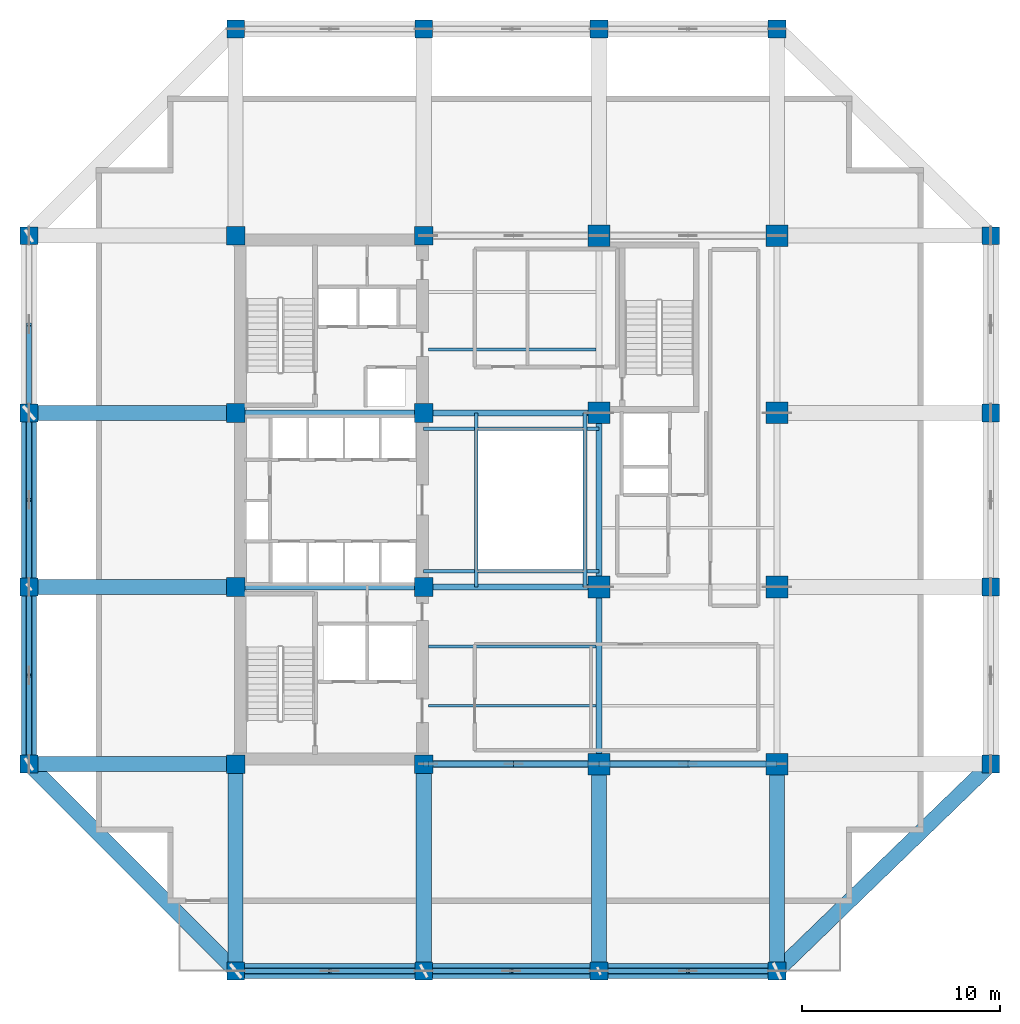
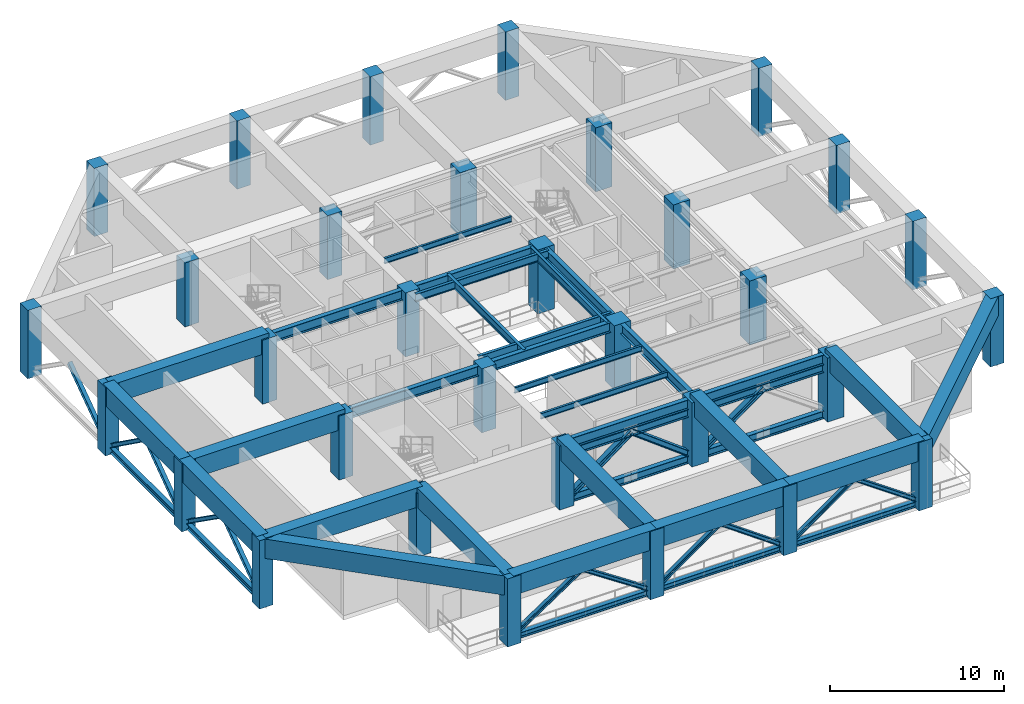
# One storey, part 1 of 10: 32 columns, 29 beams, 27 members.
"""IFC4 building model written with IfcOpenShell, lengths in metres."""

from ifc_helpers import new_model, si_unit, direction, frame, origin, origin_2d, place, context, subcontext, project, spatial, rectangle, i_section, extrude, material, material_profile, profile_set, type_object, element, save


model = new_model("IFC4")

# Units and contexts
model_context = context("Model", 3, precision=1e-05, world=origin(), true_north=direction((0.0, 1.0)))
body_context = subcontext(model_context, "Body", "Model", "MODEL_VIEW")
ifc_project = project(units=[si_unit("LENGTHUNIT", "METRE"), si_unit("AREAUNIT", "SQUARE_METRE"), si_unit("VOLUMEUNIT", "CUBIC_METRE"), si_unit("PLANEANGLEUNIT", "RADIAN"), si_unit("MASSUNIT", "GRAM", prefix="KILO")], contexts=[model_context])

# Site, building, storey
site_placement = place(None, origin())
site = spatial("IfcSite", under=ifc_project, at=site_placement, CompositionType="ELEMENT")
building_placement = place(site_placement, origin())
building = spatial("IfcBuilding", under=site, at=building_placement, Name="Kundavana Baori Tower", CompositionType="ELEMENT")
storey_placement = place(building_placement, frame((0.0, 0.0, 94.0)))
storey = spatial("IfcBuildingStorey", under=building, at=storey_placement, Name="L22", CompositionType="ELEMENT", Elevation=94.0)

# Columns
ifc_material_1 = material(Name="Concrete C60/75", Category="concrete")
ifc_material_profile_1 = material_profile(ifc_material_1, rectangle(XDim=0.89990234375, YDim=0.89990234375, at=origin_2d()), Name="RC PF 900x900")
ifc_profile_set_1 = profile_set([ifc_material_profile_1], Name="Concrete C60/75")
column_type_1 = type_object("IfcColumnType", Name="COL-PF-900", PredefinedType="COLUMN", material=ifc_profile_set_1)
for number, where, z_axis, x_axis, name in (
    (1, (15.449951171875, 4.800048828125, 0.0), (0.0, 0.0, 1.0), (1.0, 0.0, 0.0), "L22 Stone-Clad Perimeter Frame Column PF-S1"),
    (2, (15.449951171875, 52.39990234375, 0.0), (0.0, 0.0, 1.0), (1.0, 0.0, 0.0), "L22 Stone-Clad Perimeter Frame Column PF-N1"),
    (3, (24.949951171875, 4.800048828125, 0.0), (0.0, 0.0, 1.0), (1.0, 0.0, 0.0), "L22 Stone-Clad Perimeter Frame Column PF-S2"),
    (4, (24.949951171875, 52.39990234375, 0.0), (0.0, 0.0, 1.0), (1.0, 0.0, 0.0), "L22 Stone-Clad Perimeter Frame Column PF-N2"),
    (5, (33.800048828125, 4.800048828125, 0.0), (0.0, 0.0, 1.0), (1.0, 0.0, 0.0), "L22 Stone-Clad Perimeter Frame Column PF-S3"),
    (6, (33.800048828125, 52.39990234375, 0.0), (0.0, 0.0, 1.0), (1.0, 0.0, 0.0), "L22 Stone-Clad Perimeter Frame Column PF-N3"),
    (7, (42.800048828125, 4.800048828125, 0.0), (0.0, 0.0, 1.0), (1.0, 0.0, 0.0), "L22 Stone-Clad Perimeter Frame Column PF-S4"),
    (8, (42.800048828125, 52.39990234375, 0.0), (0.0, 0.0, 1.0), (1.0, 0.0, 0.0), "L22 Stone-Clad Perimeter Frame Column PF-N4"),
    (9, (5.0, 15.25, 0.0), (0.0, 0.0, 1.0), (1.0, 0.0, 0.0), "L22 Stone-Clad Perimeter Frame Column PF-W1"),
    (10, (53.60009765625, 15.25, 0.0), (0.0, 0.0, 1.0), (1.0, 0.0, 0.0), "L22 Stone-Clad Perimeter Frame Column PF-E1"),
    (11, (5.0, 24.199951171875, 0.0), (0.0, 0.0, 1.0), (1.0, 0.0, 0.0), "L22 Stone-Clad Perimeter Frame Column PF-W2"),
    (12, (53.60009765625, 24.199951171875, 0.0), (0.0, 0.0, 1.0), (1.0, 0.0, 0.0), "L22 Stone-Clad Perimeter Frame Column PF-E2"),
    (13, (5.0, 33.0, 0.0), (0.0, 0.0, 1.0), (1.0, 0.0, 0.0), "L22 Stone-Clad Perimeter Frame Column PF-W3"),
    (14, (53.60009765625, 33.0, 0.0), (0.0, 0.0, 1.0), (1.0, 0.0, 0.0), "L22 Stone-Clad Perimeter Frame Column PF-E3"),
    (15, (5.0, 41.949951171875, 0.0), (0.0, 0.0, 1.0), (1.0, 0.0, 0.0), "L22 Stone-Clad Perimeter Frame Column PF-W4"),
    (16, (53.60009765625, 41.949951171875, 0.0), (0.0, 0.0, 1.0), (1.0, 0.0, 0.0), "L22 Stone-Clad Perimeter Frame Column PF-E4"),
):
    element("IfcColumn", number, at=place(storey_placement, frame(where, z_axis=z_axis, x_axis=x_axis)), inside=storey, type_object=column_type_1, Name=name, PredefinedType="COLUMN", context=body_context, shape_type="SweptSolid", body=[
        extrude(rectangle(XDim=0.89990234375, YDim=0.89990234375, at=origin_2d()), origin(), (0.0, 0.0, 1.0), 4.800048828125),
    ])
ifc_material_2 = material(Name="Concrete C60/75", Category="concrete")
ifc_material_profile_2 = material_profile(ifc_material_2, rectangle(XDim=1.10009765625, YDim=1.10009765625, at=origin_2d()), Name="RC 1100x1100")
ifc_profile_set_2 = profile_set([ifc_material_profile_2], Name="Concrete C60/75")
column_type_2 = type_object("IfcColumnType", Name="COL-RC-1100", PredefinedType="COLUMN", material=ifc_profile_set_2)
for number, where, z_axis, x_axis, name in (
    (17, (33.800048828125, 15.25, 0.0), (0.0, 0.0, 1.0), (1.0, 0.0, 0.0), "L22 Interior Column IC-5C"),
    (18, (33.800048828125, 24.199951171875, 0.0), (0.0, 0.0, 1.0), (1.0, 0.0, 0.0), "L22 Interior Column IC-5D"),
    (19, (33.800048828125, 33.0, 0.0), (0.0, 0.0, 1.0), (1.0, 0.0, 0.0), "L22 Interior Column IC-5E"),
    (20, (33.800048828125, 41.949951171875, 0.0), (0.0, 0.0, 1.0), (1.0, 0.0, 0.0), "L22 Interior Column IC-5F"),
    (21, (42.800048828125, 15.25, 0.0), (0.0, 0.0, 1.0), (1.0, 0.0, 0.0), "L22 Interior Column IC-6C"),
    (22, (42.800048828125, 24.199951171875, 0.0), (0.0, 0.0, 1.0), (1.0, 0.0, 0.0), "L22 Interior Column IC-6D"),
    (23, (42.800048828125, 33.0, 0.0), (0.0, 0.0, 1.0), (1.0, 0.0, 0.0), "L22 Interior Column IC-6E"),
    (24, (42.800048828125, 41.949951171875, 0.0), (0.0, 0.0, 1.0), (1.0, 0.0, 0.0), "L22 Interior Column IC-6F"),
):
    element("IfcColumn", number, at=place(storey_placement, frame(where, z_axis=z_axis, x_axis=x_axis)), inside=storey, type_object=column_type_2, Name=name, PredefinedType="COLUMN", context=body_context, shape_type="SweptSolid", body=[
        extrude(rectangle(XDim=1.10009765625, YDim=1.10009765625, at=origin_2d()), origin(), (0.0, 0.0, 1.0), 4.5),
    ])
ifc_material_3 = material(Name="Concrete C50/60", Category="concrete")
ifc_material_profile_3 = material_profile(ifc_material_3, rectangle(XDim=0.949951171875, YDim=0.949951171875, at=origin_2d()), Name="RC 950x950")
ifc_profile_set_3 = profile_set([ifc_material_profile_3], Name="Concrete C50/60")
column_type_3 = type_object("IfcColumnType", Name="COL-RC-950", PredefinedType="COLUMN", material=ifc_profile_set_3)
for number, where, z_axis, x_axis, name in (
    (25, (15.449951171875, 15.25, 0.0), (0.0, 0.0, 1.0), (1.0, 0.0, 0.0), "L22 Interior Column IC-3C"),
    (26, (15.449951171875, 24.199951171875, 0.0), (0.0, 0.0, 1.0), (1.0, 0.0, 0.0), "L22 Interior Column IC-3D"),
    (27, (15.449951171875, 33.0, 0.0), (0.0, 0.0, 1.0), (1.0, 0.0, 0.0), "L22 Interior Column IC-3E"),
    (28, (15.449951171875, 41.949951171875, 0.0), (0.0, 0.0, 1.0), (1.0, 0.0, 0.0), "L22 Interior Column IC-3F"),
    (29, (24.949951171875, 15.25, 0.0), (0.0, 0.0, 1.0), (1.0, 0.0, 0.0), "L22 Interior Column IC-4C"),
    (30, (24.949951171875, 24.199951171875, 0.0), (0.0, 0.0, 1.0), (1.0, 0.0, 0.0), "L22 Interior Column IC-4D"),
    (31, (24.949951171875, 33.0, 0.0), (0.0, 0.0, 1.0), (1.0, 0.0, 0.0), "L22 Interior Column IC-4E"),
    (32, (24.949951171875, 41.949951171875, 0.0), (0.0, 0.0, 1.0), (1.0, 0.0, 0.0), "L22 Interior Column IC-4F"),
):
    element("IfcColumn", number, at=place(storey_placement, frame(where, z_axis=z_axis, x_axis=x_axis)), inside=storey, type_object=column_type_3, Name=name, PredefinedType="COLUMN", context=body_context, shape_type="SweptSolid", body=[
        extrude(rectangle(XDim=0.949951171875, YDim=0.949951171875, at=origin_2d()), origin(), (0.0, 0.0, 1.0), 4.5),
    ])

# Beams
ifc_material_4 = material(Name="Structural Steel S355JR", Category="steel")
ifc_material_profile_4 = material_profile(ifc_material_4, i_section(OverallWidth=0.139892578125, OverallDepth=0.39990234375, WebThickness=0.0087890625, FlangeThickness=0.01611328125, FilletRadius=0.013916015625, at=origin_2d()), Name="ISMB 400")
ifc_profile_set_4 = profile_set([ifc_material_profile_4], Name="Structural Steel S355JR")
beam_type_1 = type_object("IfcBeamType", Name="BM-JST-400", PredefinedType="JOIST", material=ifc_profile_set_4)
for number, where, z_axis, x_axis, name in (
    (33, (25.179931640625, 18.199951171875, 4.300048828125), (1.0, 0.0, 0.0), (0.0, 1.0, 0.0), "L22 Central Bay Composite Floor Joist C1"),
    (34, (25.179931640625, 21.199951171875, 4.300048828125), (1.0, 0.0, 0.0), (0.0, 1.0, 0.0), "L22 Central Bay Composite Floor Joist C2"),
    (35, (25.179931640625, 36.199951171875, 4.300048828125), (1.0, 0.0, 0.0), (0.0, 1.0, 0.0), "L22 Central Bay Composite Floor Joist C3"),
):
    element("IfcBeam", number, at=place(storey_placement, frame(where, z_axis=z_axis, x_axis=x_axis)), inside=storey, type_object=beam_type_1, Name=name, PredefinedType="JOIST", context=body_context, shape_type="SweptSolid", body=[
        extrude(i_section(OverallWidth=0.139892578125, OverallDepth=0.39990234375, WebThickness=0.0087890625, FlangeThickness=0.01611328125, FilletRadius=0.013916015625, at=origin_2d()), origin(), (0.0, 0.0, 1.0), 8.469970703125),
    ])
ifc_material_5 = material(Name="Structural Steel S355JR", Category="steel")
ifc_material_profile_5 = material_profile(ifc_material_5, i_section(OverallWidth=0.18994140625, OverallDepth=0.550048828125, WebThickness=0.01123046875, FlangeThickness=0.019287109375, FilletRadius=0.01806640625, at=origin_2d()), Name="ISMB 550")
ifc_profile_set_5 = profile_set([ifc_material_profile_5], Name="Structural Steel S355JR")
beam_type_2 = type_object("IfcBeamType", Name="BM-ST-550", PredefinedType="BEAM", material=ifc_profile_set_5)
for number, where, z_axis, x_axis, name in (
    (36, (27.60009765625, 24.199951171875, 4.22509765625), (0.0, 1.0, 0.0), (-1.0, 0.0, 0.0), "L22 Atrium West Edge Beam"),
    (37, (33.10009765625, 24.199951171875, 4.22509765625), (0.0, 1.0, 0.0), (-1.0, 0.0, 0.0), "L22 Atrium East Edge Beam"),
):
    element("IfcBeam", number, at=place(storey_placement, frame(where, z_axis=z_axis, x_axis=x_axis)), inside=storey, type_object=beam_type_2, Name=name, PredefinedType="BEAM", context=body_context, shape_type="SweptSolid", body=[
        extrude(i_section(OverallWidth=0.18994140625, OverallDepth=0.550048828125, WebThickness=0.01123046875, FlangeThickness=0.019287109375, FilletRadius=0.01806640625, at=origin_2d()), origin(), (0.0, 0.0, 1.0), 8.800048828125),
    ])
for number, where, z_axis, x_axis, name in (
    (38, (24.949951171875, 25.0, 4.22509765625), (1.0, 0.0, 0.0), (0.0, 1.0, 0.0), "L22 Atrium South Edge Beam"),
    (39, (24.949951171875, 32.199951171875, 4.22509765625), (1.0, 0.0, 0.0), (0.0, 1.0, 0.0), "L22 Atrium North Edge Beam"),
):
    element("IfcBeam", number, at=place(storey_placement, frame(where, z_axis=z_axis, x_axis=x_axis)), inside=storey, type_object=beam_type_2, Name=name, PredefinedType="BEAM", context=body_context, shape_type="SweptSolid", body=[
        extrude(i_section(OverallWidth=0.18994140625, OverallDepth=0.550048828125, WebThickness=0.01123046875, FlangeThickness=0.019287109375, FilletRadius=0.01806640625, at=origin_2d()), origin(), (0.0, 0.0, 1.0), 8.85009765625),
    ])
ifc_material_6 = material(Name="Structural Steel S355JR", Category="steel")
ifc_material_profile_6 = material_profile(ifc_material_6, i_section(OverallWidth=0.300048828125, OverallDepth=0.699951171875, WebThickness=0.014404296875, FlangeThickness=0.02392578125, FilletRadius=0.02392578125, at=origin_2d()), Name="NPB 700x300x170")
ifc_profile_set_6 = profile_set([ifc_material_profile_6], Name="Structural Steel S355JR")
beam_type_3 = type_object("IfcBeamType", Name="BM-ST-700", PredefinedType="BEAM", material=ifc_profile_set_6)
beam_1_placement = place(storey_placement, frame((24.949951171875, 15.25, 4.14990234375), z_axis=(1.0, 0.0, 0.0), x_axis=(0.0, 1.0, 0.0)))
element("IfcBeam", 40, at=beam_1_placement, inside=storey, type_object=beam_type_3, Name="L22 Primary Grid Girder GX-1-2", PredefinedType="BEAM", context=body_context, shape_type="SweptSolid", body=[
    extrude(i_section(OverallWidth=0.300048828125, OverallDepth=0.699951171875, WebThickness=0.014404296875, FlangeThickness=0.02392578125, FilletRadius=0.02392578125, at=origin_2d()), origin(), (0.0, 0.0, 1.0), 8.85009765625),
])
beam_2_placement = place(storey_placement, frame((33.800048828125, 15.25, 4.14990234375), z_axis=(1.0, 0.0, 0.0), x_axis=(0.0, 1.0, 0.0)))
element("IfcBeam", 41, at=beam_2_placement, inside=storey, type_object=beam_type_3, Name="L22 Primary Grid Girder GX-1-3", PredefinedType="BEAM", context=body_context, shape_type="SweptSolid", body=[
    extrude(i_section(OverallWidth=0.300048828125, OverallDepth=0.699951171875, WebThickness=0.014404296875, FlangeThickness=0.02392578125, FilletRadius=0.02392578125, at=origin_2d()), origin(), (0.0, 0.0, 1.0), 9.0),
])
beam_3_placement = place(storey_placement, frame((15.449951171875, 24.199951171875, 4.14990234375), z_axis=(1.0, 0.0, 0.0), x_axis=(0.0, 1.0, 0.0)))
element("IfcBeam", 42, at=beam_3_placement, inside=storey, type_object=beam_type_3, Name="L22 Primary Grid Girder GX-2-1", PredefinedType="BEAM", context=body_context, shape_type="SweptSolid", body=[
    extrude(i_section(OverallWidth=0.300048828125, OverallDepth=0.699951171875, WebThickness=0.014404296875, FlangeThickness=0.02392578125, FilletRadius=0.02392578125, at=origin_2d()), origin(), (0.0, 0.0, 1.0), 9.5),
])
beam_4_placement = place(storey_placement, frame((24.949951171875, 24.199951171875, 4.14990234375), z_axis=(1.0, 0.0, 0.0), x_axis=(0.0, 1.0, 0.0)))
element("IfcBeam", 43, at=beam_4_placement, inside=storey, type_object=beam_type_3, Name="L22 Primary Grid Girder GX-2-2", PredefinedType="BEAM", context=body_context, shape_type="SweptSolid", body=[
    extrude(i_section(OverallWidth=0.300048828125, OverallDepth=0.699951171875, WebThickness=0.014404296875, FlangeThickness=0.02392578125, FilletRadius=0.02392578125, at=origin_2d()), origin(), (0.0, 0.0, 1.0), 8.85009765625),
])
beam_5_placement = place(storey_placement, frame((15.449951171875, 33.0, 4.14990234375), z_axis=(1.0, 0.0, 0.0), x_axis=(0.0, 1.0, 0.0)))
element("IfcBeam", 44, at=beam_5_placement, inside=storey, type_object=beam_type_3, Name="L22 Primary Grid Girder GX-3-1", PredefinedType="BEAM", context=body_context, shape_type="SweptSolid", body=[
    extrude(i_section(OverallWidth=0.300048828125, OverallDepth=0.699951171875, WebThickness=0.014404296875, FlangeThickness=0.02392578125, FilletRadius=0.02392578125, at=origin_2d()), origin(), (0.0, 0.0, 1.0), 9.5),
])
beam_6_placement = place(storey_placement, frame((24.949951171875, 33.0, 4.14990234375), z_axis=(1.0, 0.0, 0.0), x_axis=(0.0, 1.0, 0.0)))
element("IfcBeam", 45, at=beam_6_placement, inside=storey, type_object=beam_type_3, Name="L22 Primary Grid Girder GX-3-2", PredefinedType="BEAM", context=body_context, shape_type="SweptSolid", body=[
    extrude(i_section(OverallWidth=0.300048828125, OverallDepth=0.699951171875, WebThickness=0.014404296875, FlangeThickness=0.02392578125, FilletRadius=0.02392578125, at=origin_2d()), origin(), (0.0, 0.0, 1.0), 8.85009765625),
])
beam_7_placement = place(storey_placement, frame((33.800048828125, 15.25, 4.14990234375), z_axis=(0.0, 1.0, 0.0), x_axis=(-1.0, 0.0, 0.0)))
element("IfcBeam", 46, at=beam_7_placement, inside=storey, type_object=beam_type_3, Name="L22 Primary Grid Girder GY-3-1", PredefinedType="BEAM", context=body_context, shape_type="SweptSolid", body=[
    extrude(i_section(OverallWidth=0.300048828125, OverallDepth=0.699951171875, WebThickness=0.014404296875, FlangeThickness=0.02392578125, FilletRadius=0.02392578125, at=origin_2d()), origin(), (0.0, 0.0, 1.0), 8.949951171875),
])
beam_8_placement = place(storey_placement, frame((33.800048828125, 24.199951171875, 4.14990234375), z_axis=(0.0, 1.0, 0.0), x_axis=(-1.0, 0.0, 0.0)))
element("IfcBeam", 47, at=beam_8_placement, inside=storey, type_object=beam_type_3, Name="L22 Primary Grid Girder GY-3-2", PredefinedType="BEAM", context=body_context, shape_type="SweptSolid", body=[
    extrude(i_section(OverallWidth=0.300048828125, OverallDepth=0.699951171875, WebThickness=0.014404296875, FlangeThickness=0.02392578125, FilletRadius=0.02392578125, at=origin_2d()), origin(), (0.0, 0.0, 1.0), 8.800048828125),
])
ifc_material_7 = material(Name="Concrete C50/60", Category="concrete")
ifc_material_profile_7 = material_profile(ifc_material_7, rectangle(XDim=0.760009765625, YDim=1.360107421875, at=origin_2d()), Name="BM-TG-3")
ifc_profile_set_7 = profile_set([ifc_material_profile_7], Name="Concrete C50/60")
beam_type_4 = type_object("IfcBeamType", Name="BM-TG-3", PredefinedType="USERDEFINED", material=ifc_profile_set_7)
beam_9_placement = place(storey_placement, frame((15.449951171875, 4.800048828125, 4.1201171875), z_axis=(1.0, 0.0, 0.0), x_axis=(0.0, 1.0, 0.0)))
element("IfcBeam", 48, at=beam_9_placement, inside=storey, type_object=beam_type_4, Name="L22 Perimeter Frame Ring Beam S1", ObjectType="TRANSFER GIRDER", PredefinedType="USERDEFINED", context=body_context, shape_type="SweptSolid", body=[
    extrude(rectangle(XDim=0.760009765625, YDim=1.360107421875, at=origin_2d()), origin(), (0.0, 0.0, 1.0), 9.5),
])
beam_10_placement = place(storey_placement, frame((24.949951171875, 4.800048828125, 4.1201171875), z_axis=(1.0, 0.0, 0.0), x_axis=(0.0, 1.0, 0.0)))
element("IfcBeam", 49, at=beam_10_placement, inside=storey, type_object=beam_type_4, Name="L22 Perimeter Frame Ring Beam S2", ObjectType="TRANSFER GIRDER", PredefinedType="USERDEFINED", context=body_context, shape_type="SweptSolid", body=[
    extrude(rectangle(XDim=0.760009765625, YDim=1.360107421875, at=origin_2d()), origin(), (0.0, 0.0, 1.0), 8.85009765625),
])
beam_11_placement = place(storey_placement, frame((33.800048828125, 4.800048828125, 4.1201171875), z_axis=(1.0, 0.0, 0.0), x_axis=(0.0, 1.0, 0.0)))
element("IfcBeam", 50, at=beam_11_placement, inside=storey, type_object=beam_type_4, Name="L22 Perimeter Frame Ring Beam S3", ObjectType="TRANSFER GIRDER", PredefinedType="USERDEFINED", context=body_context, shape_type="SweptSolid", body=[
    extrude(rectangle(XDim=0.760009765625, YDim=1.360107421875, at=origin_2d()), origin(), (0.0, 0.0, 1.0), 9.0),
])
beam_12_placement = place(storey_placement, frame((5.0, 15.25, 4.1201171875), z_axis=(0.0, 1.0, 0.0), x_axis=(-1.0, 0.0, 0.0)))
element("IfcBeam", 51, at=beam_12_placement, inside=storey, type_object=beam_type_4, Name="L22 Perimeter Frame Ring Beam W1", ObjectType="TRANSFER GIRDER", PredefinedType="USERDEFINED", context=body_context, shape_type="SweptSolid", body=[
    extrude(rectangle(XDim=0.760009765625, YDim=1.360107421875, at=origin_2d()), origin(), (0.0, 0.0, 1.0), 8.949951171875),
])
beam_13_placement = place(storey_placement, frame((5.0, 24.199951171875, 4.1201171875), z_axis=(0.0, 1.0, 0.0), x_axis=(-1.0, 0.0, 0.0)))
element("IfcBeam", 52, at=beam_13_placement, inside=storey, type_object=beam_type_4, Name="L22 Perimeter Frame Ring Beam W2", ObjectType="TRANSFER GIRDER", PredefinedType="USERDEFINED", context=body_context, shape_type="SweptSolid", body=[
    extrude(rectangle(XDim=0.760009765625, YDim=1.360107421875, at=origin_2d()), origin(), (0.0, 0.0, 1.0), 8.800048828125),
])
beam_14_placement = place(storey_placement, frame((15.449951171875, 4.800048828125, 4.1201171875), z_axis=(-0.707106781187, 0.707106781187, 0.0), x_axis=(-0.707106781187, -0.707106781187, 0.0)))
element("IfcBeam", 53, at=beam_14_placement, inside=storey, type_object=beam_type_4, Name="L22 Notched Corner Perimeter Beam SW", ObjectType="TRANSFER GIRDER", PredefinedType="USERDEFINED", context=body_context, shape_type="SweptSolid", body=[
    extrude(rectangle(XDim=0.760009765625, YDim=1.360107421875, at=origin_2d()), origin(), (0.0, 0.0, 1.0), 14.778564453125),
])
beam_15_placement = place(storey_placement, frame((42.800048828125, 4.800048828125, 4.1201171875), z_axis=(0.718658968601, 0.695362701653, 0.0), x_axis=(-0.695362701653, 0.718658968601, 0.0)))
element("IfcBeam", 54, at=beam_15_placement, inside=storey, type_object=beam_type_4, Name="L22 Notched Corner Perimeter Beam SE", ObjectType="TRANSFER GIRDER", PredefinedType="USERDEFINED", context=body_context, shape_type="SweptSolid", body=[
    extrude(rectangle(XDim=0.760009765625, YDim=1.360107421875, at=origin_2d()), origin(), (0.0, 0.0, 1.0), 15.028076171875),
])
for number, where, z_axis, x_axis, name in (
    (55, (15.449951171875, 15.25, 4.1201171875), (0.0, -1.0, 0.0), (1.0, 0.0, 0.0), "L22 South Radial Transfer Girder S1"),
    (56, (24.949951171875, 15.25, 4.1201171875), (0.0, -1.0, 0.0), (1.0, 0.0, 0.0), "L22 South Radial Transfer Girder S2"),
    (57, (33.800048828125, 15.25, 4.1201171875), (0.0, -1.0, 0.0), (1.0, 0.0, 0.0), "L22 South Radial Transfer Girder S3"),
    (58, (42.800048828125, 15.25, 4.1201171875), (0.0, -1.0, 0.0), (1.0, 0.0, 0.0), "L22 South Radial Transfer Girder S4"),
    (59, (15.449951171875, 15.25, 4.1201171875), (-1.0, 0.0, 0.0), (0.0, -1.0, 0.0), "L22 West Radial Transfer Girder W1"),
    (60, (15.449951171875, 24.199951171875, 4.1201171875), (-1.0, 0.0, 0.0), (0.0, -1.0, 0.0), "L22 West Radial Transfer Girder W2"),
    (61, (15.449951171875, 33.0, 4.1201171875), (-1.0, 0.0, 0.0), (0.0, -1.0, 0.0), "L22 West Radial Transfer Girder W3"),
):
    element("IfcBeam", number, at=place(storey_placement, frame(where, z_axis=z_axis, x_axis=x_axis)), inside=storey, type_object=beam_type_4, Name=name, ObjectType="TRANSFER GIRDER", PredefinedType="USERDEFINED", context=body_context, shape_type="SweptSolid", body=[
        extrude(rectangle(XDim=0.760009765625, YDim=1.360107421875, at=origin_2d()), origin(), (0.0, 0.0, 1.0), 10.449951171875),
    ])

# Members
ifc_material_8 = material(Name="Structural Steel S355JR", Category="steel")
ifc_material_profile_8 = material_profile(ifc_material_8, i_section(OverallWidth=0.300048828125, OverallDepth=0.39990234375, WebThickness=0.013427734375, FlangeThickness=0.02392578125, FilletRadius=0.02392578125, at=origin_2d()), Name="WPB 400x300x135")
ifc_profile_set_8 = profile_set([ifc_material_profile_8], Name="Structural Steel S355JR")
member_type_1 = type_object("IfcMemberType", Name="MEM-BT-CH400", PredefinedType="CHORD", material=ifc_profile_set_8)
member_1_placement = place(storey_placement, frame((15.449951171875, 4.800048828125, 0.280029296875), z_axis=(1.0, 0.0, 0.0), x_axis=(0.0, 1.0, 0.0)))
element("IfcMember", 62, at=member_1_placement, inside=storey, type_object=member_type_1, Name="L22 Perimeter Belt Truss Bottom Chord S1", PredefinedType="CHORD", context=body_context, shape_type="SweptSolid", body=[
    extrude(i_section(OverallWidth=0.300048828125, OverallDepth=0.39990234375, WebThickness=0.013427734375, FlangeThickness=0.02392578125, FilletRadius=0.02392578125, at=origin_2d()), origin(), (0.0, 0.0, 1.0), 9.5),
])
member_2_placement = place(storey_placement, frame((24.949951171875, 4.800048828125, 0.280029296875), z_axis=(1.0, 0.0, 0.0), x_axis=(0.0, 1.0, 0.0)))
element("IfcMember", 63, at=member_2_placement, inside=storey, type_object=member_type_1, Name="L22 Perimeter Belt Truss Bottom Chord S2", PredefinedType="CHORD", context=body_context, shape_type="SweptSolid", body=[
    extrude(i_section(OverallWidth=0.300048828125, OverallDepth=0.39990234375, WebThickness=0.013427734375, FlangeThickness=0.02392578125, FilletRadius=0.02392578125, at=origin_2d()), origin(), (0.0, 0.0, 1.0), 8.85009765625),
])
member_3_placement = place(storey_placement, frame((33.800048828125, 4.800048828125, 0.280029296875), z_axis=(1.0, 0.0, 0.0), x_axis=(0.0, 1.0, 0.0)))
element("IfcMember", 64, at=member_3_placement, inside=storey, type_object=member_type_1, Name="L22 Perimeter Belt Truss Bottom Chord S3", PredefinedType="CHORD", context=body_context, shape_type="SweptSolid", body=[
    extrude(i_section(OverallWidth=0.300048828125, OverallDepth=0.39990234375, WebThickness=0.013427734375, FlangeThickness=0.02392578125, FilletRadius=0.02392578125, at=origin_2d()), origin(), (0.0, 0.0, 1.0), 9.0),
])
member_4_placement = place(storey_placement, frame((5.0, 15.25, 0.280029296875), z_axis=(0.0, 1.0, 0.0), x_axis=(-1.0, 0.0, 0.0)))
element("IfcMember", 65, at=member_4_placement, inside=storey, type_object=member_type_1, Name="L22 Perimeter Belt Truss Bottom Chord W1", PredefinedType="CHORD", context=body_context, shape_type="SweptSolid", body=[
    extrude(i_section(OverallWidth=0.300048828125, OverallDepth=0.39990234375, WebThickness=0.013427734375, FlangeThickness=0.02392578125, FilletRadius=0.02392578125, at=origin_2d()), origin(), (0.0, 0.0, 1.0), 8.949951171875),
])
member_5_placement = place(storey_placement, frame((5.0, 24.199951171875, 0.280029296875), z_axis=(0.0, 1.0, 0.0), x_axis=(-1.0, 0.0, 0.0)))
element("IfcMember", 66, at=member_5_placement, inside=storey, type_object=member_type_1, Name="L22 Perimeter Belt Truss Bottom Chord W2", PredefinedType="CHORD", context=body_context, shape_type="SweptSolid", body=[
    extrude(i_section(OverallWidth=0.300048828125, OverallDepth=0.39990234375, WebThickness=0.013427734375, FlangeThickness=0.02392578125, FilletRadius=0.02392578125, at=origin_2d()), origin(), (0.0, 0.0, 1.0), 8.800048828125),
])
ifc_material_9 = material(Name="Structural Steel S355JR", Category="steel")
ifc_material_profile_9 = material_profile(ifc_material_9, i_section(OverallWidth=0.260009765625, OverallDepth=0.260009765625, WebThickness=0.010009765625, FlangeThickness=0.017578125, FilletRadius=0.02392578125, at=origin_2d()), Name="WPB 260x260x93")
ifc_profile_set_9 = profile_set([ifc_material_profile_9], Name="Structural Steel S355JR")
member_type_2 = type_object("IfcMemberType", Name="MEM-BT-DG260", PredefinedType="BRACE", material=ifc_profile_set_9)
for number, where, z_axis, x_axis, name in (
    (67, (15.449951171875, 4.800048828125, 0.280029296875), (0.832596334619, 0.0, 0.553880261049), (0.0, 1.0, 0.0), "L22 Perimeter Belt Truss Diagonal S1A"),
    (68, (24.949951171875, 4.800048828125, 0.280029296875), (-0.832596334619, 0.0, 0.553880261049), (0.0, -1.0, 0.0), "L22 Perimeter Belt Truss Diagonal S1B"),
):
    element("IfcMember", number, at=place(storey_placement, frame(where, z_axis=z_axis, x_axis=x_axis)), inside=storey, type_object=member_type_2, Name=name, PredefinedType="BRACE", context=body_context, shape_type="SweptSolid", body=[
        extrude(i_section(OverallWidth=0.260009765625, OverallDepth=0.260009765625, WebThickness=0.010009765625, FlangeThickness=0.017578125, FilletRadius=0.02392578125, at=origin_2d()), origin(), (0.0, 0.0, 1.0), 5.705078125),
    ])
for number, where, z_axis, x_axis, name in (
    (69, (24.949951171875, 4.800048828125, 0.280029296875), (0.813806275076, 0.0, 0.581136254803), (0.0, 1.0, 0.0), "L22 Perimeter Belt Truss Diagonal S2A"),
    (70, (33.800048828125, 4.800048828125, 0.280029296875), (-0.813806275076, 0.0, 0.581136254803), (0.0, -1.0, 0.0), "L22 Perimeter Belt Truss Diagonal S2B"),
):
    element("IfcMember", number, at=place(storey_placement, frame(where, z_axis=z_axis, x_axis=x_axis)), inside=storey, type_object=member_type_2, Name=name, PredefinedType="BRACE", context=body_context, shape_type="SweptSolid", body=[
        extrude(i_section(OverallWidth=0.260009765625, OverallDepth=0.260009765625, WebThickness=0.010009765625, FlangeThickness=0.017578125, FilletRadius=0.02392578125, at=origin_2d()), origin(), (0.0, 0.0, 1.0), 5.4375),
    ])
for number, where, z_axis, x_axis, name in (
    (71, (33.800048828125, 4.800048828125, 0.280029296875), (0.818384145873, 0.0, 0.574671549481), (0.0, 1.0, 0.0), "L22 Perimeter Belt Truss Diagonal S3A"),
    (72, (42.800048828125, 4.800048828125, 0.280029296875), (-0.818384145873, 0.0, 0.574671549481), (0.0, -1.0, 0.0), "L22 Perimeter Belt Truss Diagonal S3B"),
):
    element("IfcMember", number, at=place(storey_placement, frame(where, z_axis=z_axis, x_axis=x_axis)), inside=storey, type_object=member_type_2, Name=name, PredefinedType="BRACE", context=body_context, shape_type="SweptSolid", body=[
        extrude(i_section(OverallWidth=0.260009765625, OverallDepth=0.260009765625, WebThickness=0.010009765625, FlangeThickness=0.017578125, FilletRadius=0.02392578125, at=origin_2d()), origin(), (0.0, 0.0, 1.0), 5.49853515625),
    ])
member_6_placement = place(storey_placement, frame((5.0, 15.25, 0.280029296875), z_axis=(0.0, 0.816880164322, 0.576807417721), x_axis=(-1.0, 0.0, 0.0)))
element("IfcMember", 73, at=member_6_placement, inside=storey, type_object=member_type_2, Name="L22 Perimeter Belt Truss Diagonal W1A", PredefinedType="BRACE", context=body_context, shape_type="SweptSolid", body=[
    extrude(i_section(OverallWidth=0.260009765625, OverallDepth=0.260009765625, WebThickness=0.010009765625, FlangeThickness=0.017578125, FilletRadius=0.02392578125, at=origin_2d()), origin(), (0.0, 0.0, 1.0), 5.478271484375),
])
member_7_placement = place(storey_placement, frame((5.0, 24.199951171875, 0.280029296875), z_axis=(0.0, -0.816865336366, 0.57682841664), x_axis=(1.0, 0.0, 0.0)))
element("IfcMember", 74, at=member_7_placement, inside=storey, type_object=member_type_2, Name="L22 Perimeter Belt Truss Diagonal W1B", PredefinedType="BRACE", context=body_context, shape_type="SweptSolid", body=[
    extrude(i_section(OverallWidth=0.260009765625, OverallDepth=0.260009765625, WebThickness=0.010009765625, FlangeThickness=0.017578125, FilletRadius=0.02392578125, at=origin_2d()), origin(), (0.0, 0.0, 1.0), 5.47802734375),
])
member_8_placement = place(storey_placement, frame((5.0, 24.199951171875, 0.280029296875), z_axis=(0.0, 0.812250915444, 0.583308195006), x_axis=(-1.0, 0.0, 0.0)))
element("IfcMember", 75, at=member_8_placement, inside=storey, type_object=member_type_2, Name="L22 Perimeter Belt Truss Diagonal W2A", PredefinedType="BRACE", context=body_context, shape_type="SweptSolid", body=[
    extrude(i_section(OverallWidth=0.260009765625, OverallDepth=0.260009765625, WebThickness=0.010009765625, FlangeThickness=0.017578125, FilletRadius=0.02392578125, at=origin_2d()), origin(), (0.0, 0.0, 1.0), 5.417236328125),
])
member_9_placement = place(storey_placement, frame((5.0, 33.0, 0.280029296875), z_axis=(0.0, -0.812235580467, 0.583329548218), x_axis=(1.0, 0.0, 0.0)))
element("IfcMember", 76, at=member_9_placement, inside=storey, type_object=member_type_2, Name="L22 Perimeter Belt Truss Diagonal W2B", PredefinedType="BRACE", context=body_context, shape_type="SweptSolid", body=[
    extrude(i_section(OverallWidth=0.260009765625, OverallDepth=0.260009765625, WebThickness=0.010009765625, FlangeThickness=0.017578125, FilletRadius=0.02392578125, at=origin_2d()), origin(), (0.0, 0.0, 1.0), 5.4169921875),
])
member_10_placement = place(storey_placement, frame((5.0, 33.0, 0.280029296875), z_axis=(0.0, 0.816880164322, 0.576807417721), x_axis=(-1.0, 0.0, 0.0)))
element("IfcMember", 77, at=member_10_placement, inside=storey, type_object=member_type_2, Name="L22 Perimeter Belt Truss Diagonal W3A", PredefinedType="BRACE", context=body_context, shape_type="SweptSolid", body=[
    extrude(i_section(OverallWidth=0.260009765625, OverallDepth=0.260009765625, WebThickness=0.010009765625, FlangeThickness=0.017578125, FilletRadius=0.02392578125, at=origin_2d()), origin(), (0.0, 0.0, 1.0), 5.478271484375),
])
ifc_material_10 = material(Name="Structural Steel S355JR", Category="steel")
ifc_material_profile_10 = material_profile(ifc_material_10, i_section(OverallWidth=0.300048828125, OverallDepth=0.550048828125, WebThickness=0.013916015625, FlangeThickness=0.02587890625, FilletRadius=0.02392578125, at=origin_2d()), Name="WPB 550x300x166")
ifc_profile_set_10 = profile_set([ifc_material_profile_10], Name="Structural Steel S355JR")
member_type_3 = type_object("IfcMemberType", Name="MEM-OT-CH550", PredefinedType="CHORD", material=ifc_profile_set_10)
for number, where, z_axis, x_axis, name in (
    (78, (25.179931640625, 15.25, 0.280029296875), (1.0, 0.0, 0.0), (0.0, 1.0, 0.0), "L22 Outrigger Truss OT1 Bottom Chord 1A"),
    (79, (29.489990234375, 15.25, 0.280029296875), (1.0, 0.0, 0.0), (0.0, 1.0, 0.0), "L22 Outrigger Truss OT1 Bottom Chord 1B"),
    (80, (25.179931640625, 15.25, 3.52490234375), (1.0, 0.0, 0.0), (0.0, 1.0, 0.0), "L22 Outrigger Truss OT1 Top Chord 1A"),
    (81, (29.489990234375, 15.25, 3.52490234375), (1.0, 0.0, 0.0), (0.0, 1.0, 0.0), "L22 Outrigger Truss OT1 Top Chord 1B"),
):
    element("IfcMember", number, at=place(storey_placement, frame(where, z_axis=z_axis, x_axis=x_axis)), inside=storey, type_object=member_type_3, Name=name, PredefinedType="CHORD", context=body_context, shape_type="SweptSolid", body=[
        extrude(i_section(OverallWidth=0.300048828125, OverallDepth=0.550048828125, WebThickness=0.013916015625, FlangeThickness=0.02587890625, FilletRadius=0.02392578125, at=origin_2d()), origin(), (0.0, 0.0, 1.0), 4.31005859375),
    ])
for number, where, z_axis, x_axis, name in (
    (82, (33.800048828125, 15.25, 0.280029296875), (1.0, 0.0, 0.0), (0.0, 1.0, 0.0), "L22 Outrigger Truss OT1 Bottom Chord 2A"),
    (83, (38.300048828125, 15.25, 0.280029296875), (1.0, 0.0, 0.0), (0.0, 1.0, 0.0), "L22 Outrigger Truss OT1 Bottom Chord 2B"),
    (84, (33.800048828125, 15.25, 3.52490234375), (1.0, 0.0, 0.0), (0.0, 1.0, 0.0), "L22 Outrigger Truss OT1 Top Chord 2A"),
    (85, (38.300048828125, 15.25, 3.52490234375), (1.0, 0.0, 0.0), (0.0, 1.0, 0.0), "L22 Outrigger Truss OT1 Top Chord 2B"),
):
    element("IfcMember", number, at=place(storey_placement, frame(where, z_axis=z_axis, x_axis=x_axis)), inside=storey, type_object=member_type_3, Name=name, PredefinedType="CHORD", context=body_context, shape_type="SweptSolid", body=[
        extrude(i_section(OverallWidth=0.300048828125, OverallDepth=0.550048828125, WebThickness=0.013916015625, FlangeThickness=0.02587890625, FilletRadius=0.02392578125, at=origin_2d()), origin(), (0.0, 0.0, 1.0), 4.5),
    ])
ifc_material_11 = material(Name="Structural Steel S355JR", Category="steel")
ifc_material_profile_11 = material_profile(ifc_material_11, i_section(OverallWidth=0.360107421875, OverallDepth=0.360107421875, WebThickness=0.012451171875, FlangeThickness=0.0224609375, FilletRadius=0.02392578125, at=origin_2d()), Name="WPB 360x360x142")
ifc_profile_set_11 = profile_set([ifc_material_profile_11], Name="Structural Steel S355JR")
member_type_4 = type_object("IfcMemberType", Name="MEM-OT-DG360", PredefinedType="BRACE", material=ifc_profile_set_11)
for number, where, z_axis, x_axis, name in (
    (86, (25.179931640625, 15.25, 0.280029296875), (0.79890172308, 0.0, 0.60146158386), (0.0, 1.0, 0.0), "L22 Outrigger Truss OT1 Diagonal 1A"),
    (87, (33.800048828125, 15.25, 0.280029296875), (-0.79890172308, 0.0, 0.60146158386), (0.0, -1.0, 0.0), "L22 Outrigger Truss OT1 Diagonal 1B"),
):
    element("IfcMember", number, at=place(storey_placement, frame(where, z_axis=z_axis, x_axis=x_axis)), inside=storey, type_object=member_type_4, Name=name, PredefinedType="BRACE", context=body_context, shape_type="SweptSolid", body=[
        extrude(i_section(OverallWidth=0.360107421875, OverallDepth=0.360107421875, WebThickness=0.012451171875, FlangeThickness=0.0224609375, FilletRadius=0.02392578125, at=origin_2d()), origin(), (0.0, 0.0, 1.0), 5.39501953125),
    ])
member_11_placement = place(storey_placement, frame((33.800048828125, 15.25, 0.280029296875), z_axis=(0.811117632196, 0.0, 0.584883053902), x_axis=(0.0, 1.0, 0.0)))
element("IfcMember", 88, at=member_11_placement, inside=storey, type_object=member_type_4, Name="L22 Outrigger Truss OT1 Diagonal 2A", PredefinedType="BRACE", context=body_context, shape_type="SweptSolid", body=[
    extrude(i_section(OverallWidth=0.360107421875, OverallDepth=0.360107421875, WebThickness=0.012451171875, FlangeThickness=0.0224609375, FilletRadius=0.02392578125, at=origin_2d()), origin(), (0.0, 0.0, 1.0), 5.5478515625),
])

save(model, "model.ifc")
